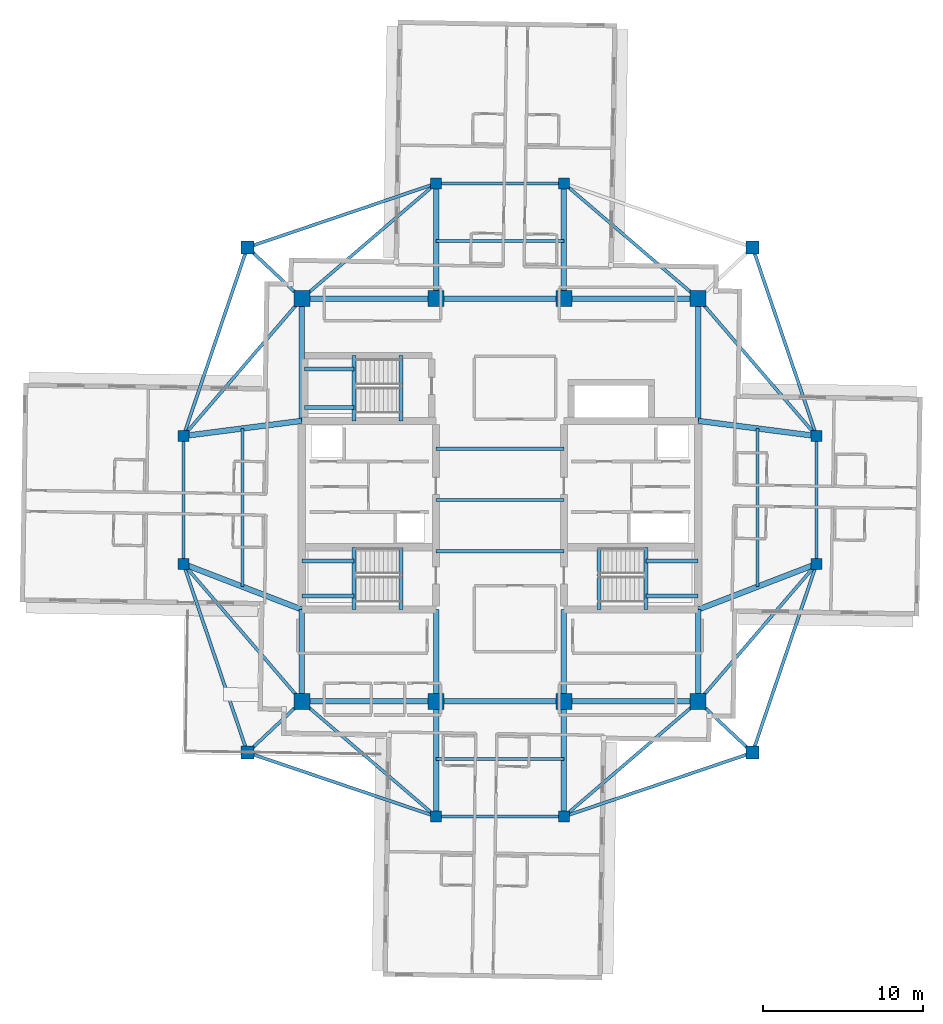
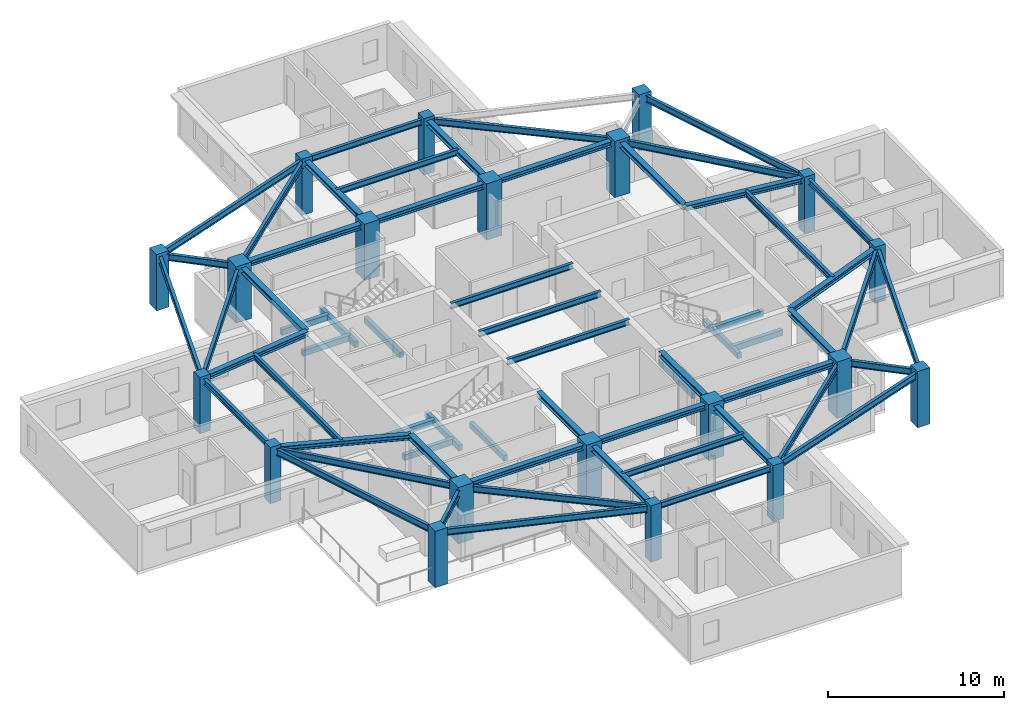
# One storey, part 1 of 12: 61 beams, 20 columns.
"""IFC4 building model written with IfcOpenShell, lengths in metres."""

from ifc_helpers import new_model, si_unit, direction, frame, origin, origin_2d, place, context, subcontext, project, spatial, rectangle, i_section, extrude, material, material_profile, profile_set, type_object, element, save


model = new_model("IFC4")

# Units and contexts
model_context = context("Model", 3, precision=1e-05, world=origin(), true_north=direction((0.0, 1.0)))
body_context = subcontext(model_context, "Body", "Model", "MODEL_VIEW")
ifc_project = project(units=[si_unit("LENGTHUNIT", "METRE"), si_unit("AREAUNIT", "SQUARE_METRE"), si_unit("VOLUMEUNIT", "CUBIC_METRE"), si_unit("PLANEANGLEUNIT", "RADIAN"), si_unit("MASSUNIT", "GRAM", prefix="KILO")], contexts=[model_context])

# Site, building, storey
site_placement = place(None, origin())
site = spatial("IfcSite", under=ifc_project, at=site_placement, CompositionType="ELEMENT")
building_placement = place(site_placement, origin())
building = spatial("IfcBuilding", under=site, at=building_placement, Name="Qingluan Cross Belvedere", CompositionType="ELEMENT")
storey_placement = place(building_placement, frame((0.0, 0.0, 261.60009765625)))
storey = spatial("IfcBuildingStorey", under=building, at=storey_placement, Name="L65", CompositionType="ELEMENT", Elevation=261.60009765625)

# Columns
ifc_material_1 = material(Name="Concrete C50", Category="concrete")
ifc_material_profile_1 = material_profile(ifc_material_1, rectangle(XDim=1.0, YDim=1.0, at=origin_2d()), Name="RC1000x1000")
ifc_profile_set_1 = profile_set([ifc_material_profile_1], Name="Concrete C50")
column_type_1 = type_object("IfcColumnType", Name="Column_RC1000x1000", PredefinedType="COLUMN", material=ifc_profile_set_1)
for number, where, z_axis, x_axis, name in (
    (1, (-12.39990234375, -12.60009765625, 0.0), (0.0, 0.0, 1.0), (1.0, 0.0, 0.0), "Hub column L65-HC1"),
    (2, (12.39990234375, -12.60009765625, 0.0), (0.0, 0.0, 1.0), (1.0, 0.0, 0.0), "Hub column L65-HC2"),
    (3, (12.39990234375, 12.60009765625, 0.0), (0.0, 0.0, 1.0), (1.0, 0.0, 0.0), "Hub column L65-HC3"),
    (4, (-12.39990234375, 12.60009765625, 0.0), (0.0, 0.0, 1.0), (1.0, 0.0, 0.0), "Hub column L65-HC4"),
    (5, (-4.0, -12.60009765625, 0.0), (0.0, 0.0, 1.0), (1.0, 0.0, 0.0), "Hub column L65-HC5"),
    (6, (4.0, -12.60009765625, 0.0), (0.0, 0.0, 1.0), (1.0, 0.0, 0.0), "Hub column L65-HC6"),
    (7, (4.0, 12.60009765625, 0.0), (0.0, 0.0, 1.0), (1.0, 0.0, 0.0), "Hub column L65-HC7"),
    (8, (-4.0, 12.60009765625, 0.0), (0.0, 0.0, 1.0), (1.0, 0.0, 0.0), "Hub column L65-HC8"),
):
    element("IfcColumn", number, at=place(storey_placement, frame(where, z_axis=z_axis, x_axis=x_axis)), inside=storey, type_object=column_type_1, Name=name, PredefinedType="COLUMN", context=body_context, shape_type="SweptSolid", body=[
        extrude(rectangle(XDim=1.0, YDim=1.0, at=origin_2d()), origin(), (0.0, 0.0, 1.0), 3.89990234375),
    ])
ifc_material_2 = material(Name="Concrete C50", Category="concrete")
ifc_material_profile_2 = material_profile(ifc_material_2, rectangle(XDim=0.699951171875, YDim=0.699951171875, at=origin_2d()), Name="RC700x700")
ifc_profile_set_2 = profile_set([ifc_material_profile_2], Name="Concrete C50")
column_type_2 = type_object("IfcColumnType", Name="Column_RC700x700", PredefinedType="COLUMN", material=ifc_profile_set_2)
for number, where, z_axis, x_axis, name in (
    (9, (19.800048828125, -4.0, 0.0), (0.0, 0.0, 1.0), (1.0, 0.0, 0.0), "Arm column L65-EIA"),
    (10, (19.800048828125, 4.0, 0.0), (0.0, 0.0, 1.0), (1.0, 0.0, 0.0), "Arm column L65-EIB"),
    (11, (-19.800048828125, -4.0, 0.0), (0.0, 0.0, 1.0), (1.0, 0.0, 0.0), "Arm column L65-WIA"),
    (12, (-19.800048828125, 4.0, 0.0), (0.0, 0.0, 1.0), (1.0, 0.0, 0.0), "Arm column L65-WIB"),
    (13, (-4.0, -19.800048828125, 0.0), (0.0, 0.0, 1.0), (1.0, 0.0, 0.0), "Arm column L65-SIA"),
    (14, (4.0, -19.800048828125, 0.0), (0.0, 0.0, 1.0), (1.0, 0.0, 0.0), "Arm column L65-SIB"),
    (15, (-4.0, 19.800048828125, 0.0), (0.0, 0.0, 1.0), (1.0, 0.0, 0.0), "Arm column L65-NIA"),
    (16, (4.0, 19.800048828125, 0.0), (0.0, 0.0, 1.0), (1.0, 0.0, 0.0), "Arm column L65-NIB"),
):
    element("IfcColumn", number, at=place(storey_placement, frame(where, z_axis=z_axis, x_axis=x_axis)), inside=storey, type_object=column_type_2, Name=name, PredefinedType="COLUMN", context=body_context, shape_type="SweptSolid", body=[
        extrude(rectangle(XDim=0.699951171875, YDim=0.699951171875, at=origin_2d()), origin(), (0.0, 0.0, 1.0), 3.89990234375),
    ])
ifc_material_3 = material(Name="Concrete C50", Category="concrete")
ifc_material_profile_3 = material_profile(ifc_material_3, rectangle(XDim=0.800048828125, YDim=0.800048828125, at=origin_2d()), Name="RC800x800")
ifc_profile_set_3 = profile_set([ifc_material_profile_3], Name="Concrete C50")
column_type_3 = type_object("IfcColumnType", Name="Column_RC800x800", PredefinedType="COLUMN", material=ifc_profile_set_3)
for number, where, z_axis, x_axis, name in (
    (17, (15.800048828125, 15.800048828125, 0.0), (0.0, 0.0, 1.0), (1.0, 0.0, 0.0), "Corner column L65-RNE"),
    (18, (-15.800048828125, 15.800048828125, 0.0), (0.0, 0.0, 1.0), (1.0, 0.0, 0.0), "Corner column L65-RNW"),
    (19, (-15.800048828125, -15.800048828125, 0.0), (0.0, 0.0, 1.0), (1.0, 0.0, 0.0), "Corner column L65-RSW"),
    (20, (15.800048828125, -15.800048828125, 0.0), (0.0, 0.0, 1.0), (1.0, 0.0, 0.0), "Corner column L65-RSE"),
):
    element("IfcColumn", number, at=place(storey_placement, frame(where, z_axis=z_axis, x_axis=x_axis)), inside=storey, type_object=column_type_3, Name=name, PredefinedType="COLUMN", context=body_context, shape_type="SweptSolid", body=[
        extrude(rectangle(XDim=0.800048828125, YDim=0.800048828125, at=origin_2d()), origin(), (0.0, 0.0, 1.0), 3.89990234375),
    ])

# Beams
ifc_material_4 = material(Name="Concrete C45", Category="concrete")
ifc_material_profile_4 = material_profile(ifc_material_4, rectangle(XDim=0.25, YDim=0.39990234375, at=origin_2d()), Name="RC250x400")
ifc_profile_set_4 = profile_set([ifc_material_profile_4], Name="Concrete C45")
beam_type_1 = type_object("IfcBeamType", Name="RC_Lintel_RC250x400", PredefinedType="LINTEL", material=ifc_profile_set_4)
for number, where, z_axis, x_axis, name in (
    (21, (-6.179931640625, -6.85009765625, -0.2001953125), (0.0, 1.0, 0.0), (-1.0, 0.0, 0.0), "Stair ST1 landing beam L65"),
    (22, (6.179931640625, -6.85009765625, -0.2001953125), (0.0, 1.0, 0.0), (-1.0, 0.0, 0.0), "Stair ST2 landing beam L65"),
):
    element("IfcBeam", number, at=place(storey_placement, frame(where, z_axis=z_axis, x_axis=x_axis)), inside=storey, type_object=beam_type_1, Name=name, PredefinedType="LINTEL", context=body_context, shape_type="SweptSolid", body=[
        extrude(rectangle(XDim=0.25, YDim=0.39990234375, at=origin_2d()), origin(), (0.0, 0.0, 1.0), 3.89013671875),
    ])
beam_1_placement = place(storey_placement, frame((-6.179931640625, 4.949951171875, -0.2001953125), z_axis=(0.0, 1.0, 0.0), x_axis=(-1.0, 0.0, 0.0)))
element("IfcBeam", 23, at=beam_1_placement, inside=storey, type_object=beam_type_1, Name="Stair ST3 landing beam L65", PredefinedType="LINTEL", context=body_context, shape_type="SweptSolid", body=[
    extrude(rectangle(XDim=0.25, YDim=0.39990234375, at=origin_2d()), origin(), (0.0, 0.0, 1.0), 4.090087890625),
])
beam_2_placement = place(storey_placement, frame((-9.1298828125, -6.85009765625, 1.5498046875), z_axis=(0.0, 1.0, 0.0), x_axis=(-1.0, 0.0, 0.0)))
element("IfcBeam", 24, at=beam_2_placement, inside=storey, type_object=beam_type_1, Name="Stair ST1 beam A L65", PredefinedType="LINTEL", context=body_context, shape_type="SweptSolid", body=[
    extrude(rectangle(XDim=0.25, YDim=0.39990234375, at=origin_2d()), origin(), (0.0, 0.0, 1.0), 3.89013671875),
])
for number, where, z_axis, x_axis, name in (
    (25, (-12.39990234375, -6.0, 1.5498046875), (1.0, 0.0, 0.0), (0.0, 1.0, 0.0), "Stair ST1 beam B L65"),
    (26, (-12.39990234375, -3.81005859375, 1.5498046875), (1.0, 0.0, 0.0), (0.0, 1.0, 0.0), "Stair ST1 beam C L65"),
):
    element("IfcBeam", number, at=place(storey_placement, frame(where, z_axis=z_axis, x_axis=x_axis)), inside=storey, type_object=beam_type_1, Name=name, PredefinedType="LINTEL", context=body_context, shape_type="SweptSolid", body=[
        extrude(rectangle(XDim=0.25, YDim=0.39990234375, at=origin_2d()), origin(), (0.0, 0.0, 1.0), 3.27001953125),
    ])
beam_3_placement = place(storey_placement, frame((9.1298828125, -6.85009765625, 1.5498046875), z_axis=(0.0, 1.0, 0.0), x_axis=(-1.0, 0.0, 0.0)))
element("IfcBeam", 27, at=beam_3_placement, inside=storey, type_object=beam_type_1, Name="Stair ST2 beam A L65", PredefinedType="LINTEL", context=body_context, shape_type="SweptSolid", body=[
    extrude(rectangle(XDim=0.25, YDim=0.39990234375, at=origin_2d()), origin(), (0.0, 0.0, 1.0), 3.89013671875),
])
for number, where, z_axis, x_axis, name in (
    (28, (12.39990234375, -6.0, 1.5498046875), (-1.0, 0.0, 0.0), (0.0, -1.0, 0.0), "Stair ST2 beam B L65"),
    (29, (12.39990234375, -3.81005859375, 1.5498046875), (-1.0, 0.0, 0.0), (0.0, -1.0, 0.0), "Stair ST2 beam C L65"),
):
    element("IfcBeam", number, at=place(storey_placement, frame(where, z_axis=z_axis, x_axis=x_axis)), inside=storey, type_object=beam_type_1, Name=name, PredefinedType="LINTEL", context=body_context, shape_type="SweptSolid", body=[
        extrude(rectangle(XDim=0.25, YDim=0.39990234375, at=origin_2d()), origin(), (0.0, 0.0, 1.0), 3.27001953125),
    ])
beam_4_placement = place(storey_placement, frame((-9.1298828125, 4.949951171875, 1.5498046875), z_axis=(0.0, 1.0, 0.0), x_axis=(-1.0, 0.0, 0.0)))
element("IfcBeam", 30, at=beam_4_placement, inside=storey, type_object=beam_type_1, Name="Stair ST3 beam A L65", PredefinedType="LINTEL", context=body_context, shape_type="SweptSolid", body=[
    extrude(rectangle(XDim=0.25, YDim=0.39990234375, at=origin_2d()), origin(), (0.0, 0.0, 1.0), 4.090087890625),
])
for number, where, z_axis, x_axis, name in (
    (31, (-12.219970703125, 5.800048828125, 1.5498046875), (1.0, 0.0, 0.0), (0.0, 1.0, 0.0), "Stair ST3 beam B L65"),
    (32, (-12.219970703125, 8.18994140625, 1.5498046875), (1.0, 0.0, 0.0), (0.0, 1.0, 0.0), "Stair ST3 beam C L65"),
):
    element("IfcBeam", number, at=place(storey_placement, frame(where, z_axis=z_axis, x_axis=x_axis)), inside=storey, type_object=beam_type_1, Name=name, PredefinedType="LINTEL", context=body_context, shape_type="SweptSolid", body=[
        extrude(rectangle(XDim=0.25, YDim=0.39990234375, at=origin_2d()), origin(), (0.0, 0.0, 1.0), 3.090087890625),
    ])
ifc_material_5 = material(Name="Steel Q420GJB", Category="steel")
ifc_material_profile_5 = material_profile(ifc_material_5, i_section(OverallWidth=0.199951171875, OverallDepth=0.39990234375, WebThickness=0.008056640625, FlangeThickness=0.012939453125, FilletRadius=0.012939453125, at=origin_2d()), Name="HN400x200x8x13")
ifc_profile_set_5 = profile_set([ifc_material_profile_5], Name="Steel Q420GJB")
beam_type_2 = type_object("IfcBeamType", Name="Steel_Beam_HN400x200x8x13", PredefinedType="JOIST", material=ifc_profile_set_5)
for number, where, z_axis, x_axis, name in (
    (33, (-4.0, -3.199951171875, 3.5), (1.0, 0.0, 0.0), (0.0, 1.0, 0.0), "Hall beam L65-CH1"),
    (34, (-4.0, 0.0, 3.5), (1.0, 0.0, 0.0), (0.0, 1.0, 0.0), "Hall beam L65-CH2"),
    (35, (-4.0, 3.199951171875, 3.5), (1.0, 0.0, 0.0), (0.0, 1.0, 0.0), "Hall beam L65-CH3"),
    (36, (19.800048828125, -4.0, 3.5), (0.0, 1.0, 0.0), (-1.0, 0.0, 0.0), "Arm E tie L65"),
):
    element("IfcBeam", number, at=place(storey_placement, frame(where, z_axis=z_axis, x_axis=x_axis)), inside=storey, type_object=beam_type_2, Name=name, PredefinedType="JOIST", context=body_context, shape_type="SweptSolid", body=[
        extrude(i_section(OverallWidth=0.199951171875, OverallDepth=0.39990234375, WebThickness=0.008056640625, FlangeThickness=0.012939453125, FilletRadius=0.012939453125, at=origin_2d()), origin(), (0.0, 0.0, 1.0), 8.0),
    ])
beam_5_placement = place(storey_placement, frame((16.10009765625, -5.425048828125, 3.5), z_axis=(0.0, 1.0, 0.0), x_axis=(-1.0, 0.0, 0.0)))
element("IfcBeam", 37, at=beam_5_placement, inside=storey, type_object=beam_type_2, Name="Arm E beam L65", PredefinedType="JOIST", context=body_context, shape_type="SweptSolid", body=[
    extrude(i_section(OverallWidth=0.199951171875, OverallDepth=0.39990234375, WebThickness=0.008056640625, FlangeThickness=0.012939453125, FilletRadius=0.012939453125, at=origin_2d()), origin(), (0.0, 0.0, 1.0), 9.900146484375),
])
beam_6_placement = place(storey_placement, frame((-19.800048828125, -4.0, 3.5), z_axis=(0.0, 1.0, 0.0), x_axis=(-1.0, 0.0, 0.0)))
element("IfcBeam", 38, at=beam_6_placement, inside=storey, type_object=beam_type_2, Name="Arm W tie L65", PredefinedType="JOIST", context=body_context, shape_type="SweptSolid", body=[
    extrude(i_section(OverallWidth=0.199951171875, OverallDepth=0.39990234375, WebThickness=0.008056640625, FlangeThickness=0.012939453125, FilletRadius=0.012939453125, at=origin_2d()), origin(), (0.0, 0.0, 1.0), 8.0),
])
beam_7_placement = place(storey_placement, frame((-16.10009765625, -5.425048828125, 3.5), z_axis=(0.0, 1.0, 0.0), x_axis=(-1.0, 0.0, 0.0)))
element("IfcBeam", 39, at=beam_7_placement, inside=storey, type_object=beam_type_2, Name="Arm W beam L65", PredefinedType="JOIST", context=body_context, shape_type="SweptSolid", body=[
    extrude(i_section(OverallWidth=0.199951171875, OverallDepth=0.39990234375, WebThickness=0.008056640625, FlangeThickness=0.012939453125, FilletRadius=0.012939453125, at=origin_2d()), origin(), (0.0, 0.0, 1.0), 9.900146484375),
])
for number, where, z_axis, x_axis, name in (
    (40, (-4.0, 19.800048828125, 3.5), (1.0, 0.0, 0.0), (0.0, 1.0, 0.0), "Arm N tie L65"),
    (41, (-4.0, 16.199951171875, 3.5), (1.0, 0.0, 0.0), (0.0, 1.0, 0.0), "Arm N beam L65"),
    (42, (-4.0, -19.800048828125, 3.5), (1.0, 0.0, 0.0), (0.0, 1.0, 0.0), "Arm S tie L65"),
    (43, (-4.0, -16.199951171875, 3.5), (1.0, 0.0, 0.0), (0.0, 1.0, 0.0), "Arm S beam L65"),
):
    element("IfcBeam", number, at=place(storey_placement, frame(where, z_axis=z_axis, x_axis=x_axis)), inside=storey, type_object=beam_type_2, Name=name, PredefinedType="JOIST", context=body_context, shape_type="SweptSolid", body=[
        extrude(i_section(OverallWidth=0.199951171875, OverallDepth=0.39990234375, WebThickness=0.008056640625, FlangeThickness=0.012939453125, FilletRadius=0.012939453125, at=origin_2d()), origin(), (0.0, 0.0, 1.0), 8.0),
    ])
ifc_material_6 = material(Name="Steel Q420GJB", Category="steel")
ifc_material_profile_6 = material_profile(ifc_material_6, i_section(OverallWidth=0.199951171875, OverallDepth=0.449951171875, WebThickness=0.009033203125, FlangeThickness=0.013916015625, FilletRadius=0.01611328125, at=origin_2d()), Name="HN450x200x9x14")
ifc_profile_set_6 = profile_set([ifc_material_profile_6], Name="Steel Q420GJB")
beam_type_3 = type_object("IfcBeamType", Name="Steel_Beam_HN450x200x9x14", PredefinedType="JOIST", material=ifc_profile_set_6)
beam_8_placement = place(storey_placement, frame((15.800048828125, 15.800048828125, 3.474853515625), z_axis=(0.321038089628, -0.947066283324, 0.0), x_axis=(0.947066283324, 0.321038089628, 0.0)))
element("IfcBeam", 44, at=beam_8_placement, inside=storey, type_object=beam_type_3, Name="Corner beam 3 L65-RNE", PredefinedType="JOIST", context=body_context, shape_type="SweptSolid", body=[
    extrude(i_section(OverallWidth=0.199951171875, OverallDepth=0.449951171875, WebThickness=0.009033203125, FlangeThickness=0.013916015625, FilletRadius=0.01611328125, at=origin_2d()), origin(), (0.0, 0.0, 1.0), 12.45947265625),
])
beam_9_placement = place(storey_placement, frame((12.39990234375, 12.60009765625, 3.474853515625), z_axis=(0.652245077546, -0.75800815221, 0.0), x_axis=(0.75800815221, 0.652245077546, 0.0)))
element("IfcBeam", 45, at=beam_9_placement, inside=storey, type_object=beam_type_3, Name="Corner beam 4 L65-RNE", PredefinedType="JOIST", context=body_context, shape_type="SweptSolid", body=[
    extrude(i_section(OverallWidth=0.199951171875, OverallDepth=0.449951171875, WebThickness=0.009033203125, FlangeThickness=0.013916015625, FilletRadius=0.01611328125, at=origin_2d()), origin(), (0.0, 0.0, 1.0), 11.345703125),
])
beam_10_placement = place(storey_placement, frame((12.39990234375, 12.60009765625, 3.474853515625), z_axis=(-0.759255044656, 0.650793190779, 0.0), x_axis=(-0.650793190779, -0.759255044656, 0.0)))
element("IfcBeam", 46, at=beam_10_placement, inside=storey, type_object=beam_type_3, Name="Corner beam 5 L65-RNE", PredefinedType="JOIST", context=body_context, shape_type="SweptSolid", body=[
    extrude(i_section(OverallWidth=0.199951171875, OverallDepth=0.449951171875, WebThickness=0.009033203125, FlangeThickness=0.013916015625, FilletRadius=0.01611328125, at=origin_2d()), origin(), (0.0, 0.0, 1.0), 11.063232421875),
])
beam_11_placement = place(storey_placement, frame((-12.39990234375, 12.60009765625, 3.474853515625), z_axis=(-0.728219948308, 0.685343495546, 0.0), x_axis=(-0.685343495546, -0.728219948308, 0.0)))
element("IfcBeam", 47, at=beam_11_placement, inside=storey, type_object=beam_type_3, Name="Corner beam 1 L65-RNW", PredefinedType="JOIST", context=body_context, shape_type="SweptSolid", body=[
    extrude(i_section(OverallWidth=0.199951171875, OverallDepth=0.449951171875, WebThickness=0.009033203125, FlangeThickness=0.013916015625, FilletRadius=0.01611328125, at=origin_2d()), origin(), (0.0, 0.0, 1.0), 4.669189453125),
])
for number, where, z_axis, x_axis, name in (
    (48, (-15.800048828125, 15.800048828125, 3.474853515625), (0.947066283324, 0.321038089628, 0.0), (-0.321038089628, 0.947066283324, 0.0), "Corner beam 2 L65-RNW"),
    (49, (-15.800048828125, 15.800048828125, 3.474853515625), (-0.321038089628, -0.947066283324, 0.0), (0.947066283324, -0.321038089628, 0.0), "Corner beam 3 L65-RNW"),
):
    element("IfcBeam", number, at=place(storey_placement, frame(where, z_axis=z_axis, x_axis=x_axis)), inside=storey, type_object=beam_type_3, Name=name, PredefinedType="JOIST", context=body_context, shape_type="SweptSolid", body=[
        extrude(i_section(OverallWidth=0.199951171875, OverallDepth=0.449951171875, WebThickness=0.009033203125, FlangeThickness=0.013916015625, FilletRadius=0.01611328125, at=origin_2d()), origin(), (0.0, 0.0, 1.0), 12.45947265625),
    ])
beam_12_placement = place(storey_placement, frame((-12.39990234375, 12.60009765625, 3.474853515625), z_axis=(-0.652245077546, -0.75800815221, 0.0), x_axis=(0.75800815221, -0.652245077546, 0.0)))
element("IfcBeam", 50, at=beam_12_placement, inside=storey, type_object=beam_type_3, Name="Corner beam 4 L65-RNW", PredefinedType="JOIST", context=body_context, shape_type="SweptSolid", body=[
    extrude(i_section(OverallWidth=0.199951171875, OverallDepth=0.449951171875, WebThickness=0.009033203125, FlangeThickness=0.013916015625, FilletRadius=0.01611328125, at=origin_2d()), origin(), (0.0, 0.0, 1.0), 11.345703125),
])
beam_13_placement = place(storey_placement, frame((-12.39990234375, 12.60009765625, 3.474853515625), z_axis=(0.759255044656, 0.650793190779, 0.0), x_axis=(-0.650793190779, 0.759255044656, 0.0)))
element("IfcBeam", 51, at=beam_13_placement, inside=storey, type_object=beam_type_3, Name="Corner beam 5 L65-RNW", PredefinedType="JOIST", context=body_context, shape_type="SweptSolid", body=[
    extrude(i_section(OverallWidth=0.199951171875, OverallDepth=0.449951171875, WebThickness=0.009033203125, FlangeThickness=0.013916015625, FilletRadius=0.01611328125, at=origin_2d()), origin(), (0.0, 0.0, 1.0), 11.063232421875),
])
beam_14_placement = place(storey_placement, frame((-12.39990234375, -12.60009765625, 3.454833984375), z_axis=(-0.728219948308, -0.685343495546, 0.0), x_axis=(0.685343495546, -0.728219948308, 0.0)))
element("IfcBeam", 52, at=beam_14_placement, inside=storey, type_object=beam_type_3, Name="Corner beam 1 L65-RSW", PredefinedType="JOIST", context=body_context, shape_type="SweptSolid", body=[
    extrude(i_section(OverallWidth=0.199951171875, OverallDepth=0.449951171875, WebThickness=0.009033203125, FlangeThickness=0.013916015625, FilletRadius=0.01611328125, at=origin_2d()), origin(), (0.0, 0.0, 1.0), 4.669189453125),
])
for number, where, z_axis, x_axis, name in (
    (53, (-15.800048828125, -15.800048828125, 3.454833984375), (0.947066283324, -0.321038089628, 0.0), (0.321038089628, 0.947066283324, 0.0), "Corner beam 2 L65-RSW"),
    (54, (-15.800048828125, -15.800048828125, 3.454833984375), (-0.321038089628, 0.947066283324, 0.0), (-0.947066283324, -0.321038089628, 0.0), "Corner beam 3 L65-RSW"),
):
    element("IfcBeam", number, at=place(storey_placement, frame(where, z_axis=z_axis, x_axis=x_axis)), inside=storey, type_object=beam_type_3, Name=name, PredefinedType="JOIST", context=body_context, shape_type="SweptSolid", body=[
        extrude(i_section(OverallWidth=0.199951171875, OverallDepth=0.449951171875, WebThickness=0.009033203125, FlangeThickness=0.013916015625, FilletRadius=0.01611328125, at=origin_2d()), origin(), (0.0, 0.0, 1.0), 12.45947265625),
    ])
beam_15_placement = place(storey_placement, frame((-12.39990234375, -12.60009765625, 3.454833984375), z_axis=(-0.652245077546, 0.75800815221, 0.0), x_axis=(-0.75800815221, -0.652245077546, 0.0)))
element("IfcBeam", 55, at=beam_15_placement, inside=storey, type_object=beam_type_3, Name="Corner beam 4 L65-RSW", PredefinedType="JOIST", context=body_context, shape_type="SweptSolid", body=[
    extrude(i_section(OverallWidth=0.199951171875, OverallDepth=0.449951171875, WebThickness=0.009033203125, FlangeThickness=0.013916015625, FilletRadius=0.01611328125, at=origin_2d()), origin(), (0.0, 0.0, 1.0), 11.345703125),
])
beam_16_placement = place(storey_placement, frame((-12.39990234375, -12.60009765625, 3.454833984375), z_axis=(0.759255044656, -0.650793190779, 0.0), x_axis=(0.650793190779, 0.759255044656, 0.0)))
element("IfcBeam", 56, at=beam_16_placement, inside=storey, type_object=beam_type_3, Name="Corner beam 5 L65-RSW", PredefinedType="JOIST", context=body_context, shape_type="SweptSolid", body=[
    extrude(i_section(OverallWidth=0.199951171875, OverallDepth=0.449951171875, WebThickness=0.009033203125, FlangeThickness=0.013916015625, FilletRadius=0.01611328125, at=origin_2d()), origin(), (0.0, 0.0, 1.0), 11.063232421875),
])
beam_17_placement = place(storey_placement, frame((12.39990234375, -12.60009765625, 3.474853515625), z_axis=(0.728219948308, -0.685343495546, 0.0), x_axis=(0.685343495546, 0.728219948308, 0.0)))
element("IfcBeam", 57, at=beam_17_placement, inside=storey, type_object=beam_type_3, Name="Corner beam 1 L65-RSE", PredefinedType="JOIST", context=body_context, shape_type="SweptSolid", body=[
    extrude(i_section(OverallWidth=0.199951171875, OverallDepth=0.449951171875, WebThickness=0.009033203125, FlangeThickness=0.013916015625, FilletRadius=0.01611328125, at=origin_2d()), origin(), (0.0, 0.0, 1.0), 4.669189453125),
])
for number, where, z_axis, x_axis, name in (
    (58, (15.800048828125, -15.800048828125, 3.474853515625), (-0.947066283324, -0.321038089628, 0.0), (0.321038089628, -0.947066283324, 0.0), "Corner beam 2 L65-RSE"),
    (59, (15.800048828125, -15.800048828125, 3.474853515625), (0.321038089628, 0.947066283324, 0.0), (-0.947066283324, 0.321038089628, 0.0), "Corner beam 3 L65-RSE"),
):
    element("IfcBeam", number, at=place(storey_placement, frame(where, z_axis=z_axis, x_axis=x_axis)), inside=storey, type_object=beam_type_3, Name=name, PredefinedType="JOIST", context=body_context, shape_type="SweptSolid", body=[
        extrude(i_section(OverallWidth=0.199951171875, OverallDepth=0.449951171875, WebThickness=0.009033203125, FlangeThickness=0.013916015625, FilletRadius=0.01611328125, at=origin_2d()), origin(), (0.0, 0.0, 1.0), 12.45947265625),
    ])
beam_18_placement = place(storey_placement, frame((12.39990234375, -12.60009765625, 3.474853515625), z_axis=(0.652245077546, 0.75800815221, 0.0), x_axis=(-0.75800815221, 0.652245077546, 0.0)))
element("IfcBeam", 60, at=beam_18_placement, inside=storey, type_object=beam_type_3, Name="Corner beam 4 L65-RSE", PredefinedType="JOIST", context=body_context, shape_type="SweptSolid", body=[
    extrude(i_section(OverallWidth=0.199951171875, OverallDepth=0.449951171875, WebThickness=0.009033203125, FlangeThickness=0.013916015625, FilletRadius=0.01611328125, at=origin_2d()), origin(), (0.0, 0.0, 1.0), 11.345703125),
])
beam_19_placement = place(storey_placement, frame((12.39990234375, -12.60009765625, 3.474853515625), z_axis=(-0.759255044656, -0.650793190779, 0.0), x_axis=(0.650793190779, -0.759255044656, 0.0)))
element("IfcBeam", 61, at=beam_19_placement, inside=storey, type_object=beam_type_3, Name="Corner beam 5 L65-RSE", PredefinedType="JOIST", context=body_context, shape_type="SweptSolid", body=[
    extrude(i_section(OverallWidth=0.199951171875, OverallDepth=0.449951171875, WebThickness=0.009033203125, FlangeThickness=0.013916015625, FilletRadius=0.01611328125, at=origin_2d()), origin(), (0.0, 0.0, 1.0), 11.063232421875),
])
ifc_material_7 = material(Name="Steel Q420GJB", Category="steel")
ifc_material_profile_7 = material_profile(ifc_material_7, i_section(OverallWidth=0.35009765625, OverallDepth=0.35009765625, WebThickness=0.011962890625, FlangeThickness=0.01904296875, FilletRadius=0.02001953125, at=origin_2d()), Name="HW350x350x12x19")
ifc_profile_set_7 = profile_set([ifc_material_profile_7], Name="Steel Q420GJB")
beam_type_4 = type_object("IfcBeamType", Name="Steel_Girder_HW350x350x12x19", PredefinedType="USERDEFINED", material=ifc_profile_set_7)
beam_20_placement = place(storey_placement, frame((-12.39990234375, -12.60009765625, 3.52490234375), z_axis=(1.0, 0.0, 0.0), x_axis=(0.0, 1.0, 0.0)))
element("IfcBeam", 62, at=beam_20_placement, inside=storey, type_object=beam_type_4, Name="Hub girder L65-HG-S1", ObjectType="GIRDER", PredefinedType="USERDEFINED", context=body_context, shape_type="SweptSolid", body=[
    extrude(i_section(OverallWidth=0.35009765625, OverallDepth=0.35009765625, WebThickness=0.011962890625, FlangeThickness=0.01904296875, FilletRadius=0.02001953125, at=origin_2d()), origin(), (0.0, 0.0, 1.0), 8.39990234375),
])
beam_21_placement = place(storey_placement, frame((-4.0, -12.60009765625, 3.52490234375), z_axis=(1.0, 0.0, 0.0), x_axis=(0.0, 1.0, 0.0)))
element("IfcBeam", 63, at=beam_21_placement, inside=storey, type_object=beam_type_4, Name="Hub girder L65-HG-S2", ObjectType="GIRDER", PredefinedType="USERDEFINED", context=body_context, shape_type="SweptSolid", body=[
    extrude(i_section(OverallWidth=0.35009765625, OverallDepth=0.35009765625, WebThickness=0.011962890625, FlangeThickness=0.01904296875, FilletRadius=0.02001953125, at=origin_2d()), origin(), (0.0, 0.0, 1.0), 8.0),
])
for number, where, z_axis, x_axis, name in (
    (64, (4.0, -12.60009765625, 3.52490234375), (1.0, 0.0, 0.0), (0.0, 1.0, 0.0), "Hub girder L65-HG-S3"),
    (65, (-12.39990234375, 12.60009765625, 3.52490234375), (1.0, 0.0, 0.0), (0.0, 1.0, 0.0), "Hub girder L65-HG-N1"),
):
    element("IfcBeam", number, at=place(storey_placement, frame(where, z_axis=z_axis, x_axis=x_axis)), inside=storey, type_object=beam_type_4, Name=name, ObjectType="GIRDER", PredefinedType="USERDEFINED", context=body_context, shape_type="SweptSolid", body=[
        extrude(i_section(OverallWidth=0.35009765625, OverallDepth=0.35009765625, WebThickness=0.011962890625, FlangeThickness=0.01904296875, FilletRadius=0.02001953125, at=origin_2d()), origin(), (0.0, 0.0, 1.0), 8.39990234375),
    ])
beam_22_placement = place(storey_placement, frame((-4.0, 12.60009765625, 3.52490234375), z_axis=(1.0, 0.0, 0.0), x_axis=(0.0, 1.0, 0.0)))
element("IfcBeam", 66, at=beam_22_placement, inside=storey, type_object=beam_type_4, Name="Hub girder L65-HG-N2", ObjectType="GIRDER", PredefinedType="USERDEFINED", context=body_context, shape_type="SweptSolid", body=[
    extrude(i_section(OverallWidth=0.35009765625, OverallDepth=0.35009765625, WebThickness=0.011962890625, FlangeThickness=0.01904296875, FilletRadius=0.02001953125, at=origin_2d()), origin(), (0.0, 0.0, 1.0), 8.0),
])
beam_23_placement = place(storey_placement, frame((4.0, 12.60009765625, 3.52490234375), z_axis=(1.0, 0.0, 0.0), x_axis=(0.0, 1.0, 0.0)))
element("IfcBeam", 67, at=beam_23_placement, inside=storey, type_object=beam_type_4, Name="Hub girder L65-HG-N3", ObjectType="GIRDER", PredefinedType="USERDEFINED", context=body_context, shape_type="SweptSolid", body=[
    extrude(i_section(OverallWidth=0.35009765625, OverallDepth=0.35009765625, WebThickness=0.011962890625, FlangeThickness=0.01904296875, FilletRadius=0.02001953125, at=origin_2d()), origin(), (0.0, 0.0, 1.0), 8.39990234375),
])
beam_24_placement = place(storey_placement, frame((-12.39990234375, -12.60009765625, 3.52490234375), z_axis=(0.0, 1.0, 0.0), x_axis=(-1.0, 0.0, 0.0)))
element("IfcBeam", 68, at=beam_24_placement, inside=storey, type_object=beam_type_4, Name="Hub girder L65-HG-W1", ObjectType="GIRDER", PredefinedType="USERDEFINED", context=body_context, shape_type="SweptSolid", body=[
    extrude(i_section(OverallWidth=0.35009765625, OverallDepth=0.35009765625, WebThickness=0.011962890625, FlangeThickness=0.01904296875, FilletRadius=0.02001953125, at=origin_2d()), origin(), (0.0, 0.0, 1.0), 5.75),
])
beam_25_placement = place(storey_placement, frame((-12.39990234375, 4.949951171875, 3.52490234375), z_axis=(0.0, 1.0, 0.0), x_axis=(-1.0, 0.0, 0.0)))
element("IfcBeam", 69, at=beam_25_placement, inside=storey, type_object=beam_type_4, Name="Hub girder L65-HG-W2", ObjectType="GIRDER", PredefinedType="USERDEFINED", context=body_context, shape_type="SweptSolid", body=[
    extrude(i_section(OverallWidth=0.35009765625, OverallDepth=0.35009765625, WebThickness=0.011962890625, FlangeThickness=0.01904296875, FilletRadius=0.02001953125, at=origin_2d()), origin(), (0.0, 0.0, 1.0), 7.650146484375),
])
beam_26_placement = place(storey_placement, frame((12.39990234375, -12.60009765625, 3.52490234375), z_axis=(0.0, 1.0, 0.0), x_axis=(-1.0, 0.0, 0.0)))
element("IfcBeam", 70, at=beam_26_placement, inside=storey, type_object=beam_type_4, Name="Hub girder L65-HG-E1", ObjectType="GIRDER", PredefinedType="USERDEFINED", context=body_context, shape_type="SweptSolid", body=[
    extrude(i_section(OverallWidth=0.35009765625, OverallDepth=0.35009765625, WebThickness=0.011962890625, FlangeThickness=0.01904296875, FilletRadius=0.02001953125, at=origin_2d()), origin(), (0.0, 0.0, 1.0), 5.75),
])
beam_27_placement = place(storey_placement, frame((12.39990234375, 4.949951171875, 3.52490234375), z_axis=(0.0, 1.0, 0.0), x_axis=(-1.0, 0.0, 0.0)))
element("IfcBeam", 71, at=beam_27_placement, inside=storey, type_object=beam_type_4, Name="Hub girder L65-HG-E2", ObjectType="GIRDER", PredefinedType="USERDEFINED", context=body_context, shape_type="SweptSolid", body=[
    extrude(i_section(OverallWidth=0.35009765625, OverallDepth=0.35009765625, WebThickness=0.011962890625, FlangeThickness=0.01904296875, FilletRadius=0.02001953125, at=origin_2d()), origin(), (0.0, 0.0, 1.0), 7.650146484375),
])
for number, where, z_axis, x_axis, name in (
    (72, (-4.0, -12.60009765625, 3.52490234375), (0.0, 1.0, 0.0), (-1.0, 0.0, 0.0), "Hub girder L65-HG-CW"),
    (73, (4.0, -12.60009765625, 3.52490234375), (0.0, 1.0, 0.0), (-1.0, 0.0, 0.0), "Hub girder L65-HG-CE"),
):
    element("IfcBeam", number, at=place(storey_placement, frame(where, z_axis=z_axis, x_axis=x_axis)), inside=storey, type_object=beam_type_4, Name=name, ObjectType="GIRDER", PredefinedType="USERDEFINED", context=body_context, shape_type="SweptSolid", body=[
        extrude(i_section(OverallWidth=0.35009765625, OverallDepth=0.35009765625, WebThickness=0.011962890625, FlangeThickness=0.01904296875, FilletRadius=0.02001953125, at=origin_2d()), origin(), (0.0, 0.0, 1.0), 5.75),
    ])
beam_28_placement = place(storey_placement, frame((12.39990234375, -6.85009765625, 3.52490234375), z_axis=(0.933181258889, 0.359406090735, 0.0), x_axis=(-0.359406090735, 0.933181258889, 0.0)))
element("IfcBeam", 74, at=beam_28_placement, inside=storey, type_object=beam_type_4, Name="Arm E radial girder A L65", ObjectType="GIRDER", PredefinedType="USERDEFINED", context=body_context, shape_type="SweptSolid", body=[
    extrude(i_section(OverallWidth=0.35009765625, OverallDepth=0.35009765625, WebThickness=0.011962890625, FlangeThickness=0.01904296875, FilletRadius=0.02001953125, at=origin_2d()), origin(), (0.0, 0.0, 1.0), 7.929931640625),
])
beam_29_placement = place(storey_placement, frame((12.39990234375, 4.949951171875, 3.52490234375), z_axis=(0.991861120628, -0.12732445714, 0.0), x_axis=(0.12732445714, 0.991861120628, 0.0)))
element("IfcBeam", 75, at=beam_29_placement, inside=storey, type_object=beam_type_4, Name="Arm E radial girder B L65", ObjectType="GIRDER", PredefinedType="USERDEFINED", context=body_context, shape_type="SweptSolid", body=[
    extrude(i_section(OverallWidth=0.35009765625, OverallDepth=0.35009765625, WebThickness=0.011962890625, FlangeThickness=0.01904296875, FilletRadius=0.02001953125, at=origin_2d()), origin(), (0.0, 0.0, 1.0), 7.4609375),
])
beam_30_placement = place(storey_placement, frame((-12.39990234375, -6.85009765625, 3.52490234375), z_axis=(-0.933181258889, 0.359406090735, 0.0), x_axis=(-0.359406090735, -0.933181258889, 0.0)))
element("IfcBeam", 76, at=beam_30_placement, inside=storey, type_object=beam_type_4, Name="Arm W radial girder A L65", ObjectType="GIRDER", PredefinedType="USERDEFINED", context=body_context, shape_type="SweptSolid", body=[
    extrude(i_section(OverallWidth=0.35009765625, OverallDepth=0.35009765625, WebThickness=0.011962890625, FlangeThickness=0.01904296875, FilletRadius=0.02001953125, at=origin_2d()), origin(), (0.0, 0.0, 1.0), 7.929931640625),
])
beam_31_placement = place(storey_placement, frame((-12.39990234375, 4.949951171875, 3.52490234375), z_axis=(-0.991861120628, -0.12732445714, 0.0), x_axis=(0.12732445714, -0.991861120628, 0.0)))
element("IfcBeam", 77, at=beam_31_placement, inside=storey, type_object=beam_type_4, Name="Arm W radial girder B L65", ObjectType="GIRDER", PredefinedType="USERDEFINED", context=body_context, shape_type="SweptSolid", body=[
    extrude(i_section(OverallWidth=0.35009765625, OverallDepth=0.35009765625, WebThickness=0.011962890625, FlangeThickness=0.01904296875, FilletRadius=0.02001953125, at=origin_2d()), origin(), (0.0, 0.0, 1.0), 7.4609375),
])
for number, where, z_axis, x_axis, name in (
    (78, (-4.0, 12.60009765625, 3.52490234375), (0.0, 1.0, 0.0), (-1.0, 0.0, 0.0), "Arm N radial girder A L65"),
    (79, (4.0, 12.60009765625, 3.52490234375), (0.0, 1.0, 0.0), (-1.0, 0.0, 0.0), "Arm N radial girder B L65"),
    (80, (-4.0, -12.60009765625, 3.52490234375), (0.0, -1.0, 0.0), (1.0, 0.0, 0.0), "Arm S radial girder A L65"),
    (81, (4.0, -12.60009765625, 3.52490234375), (0.0, -1.0, 0.0), (1.0, 0.0, 0.0), "Arm S radial girder B L65"),
):
    element("IfcBeam", number, at=place(storey_placement, frame(where, z_axis=z_axis, x_axis=x_axis)), inside=storey, type_object=beam_type_4, Name=name, ObjectType="GIRDER", PredefinedType="USERDEFINED", context=body_context, shape_type="SweptSolid", body=[
        extrude(i_section(OverallWidth=0.35009765625, OverallDepth=0.35009765625, WebThickness=0.011962890625, FlangeThickness=0.01904296875, FilletRadius=0.02001953125, at=origin_2d()), origin(), (0.0, 0.0, 1.0), 7.199951171875),
    ])

save(model, "model.ifc")
